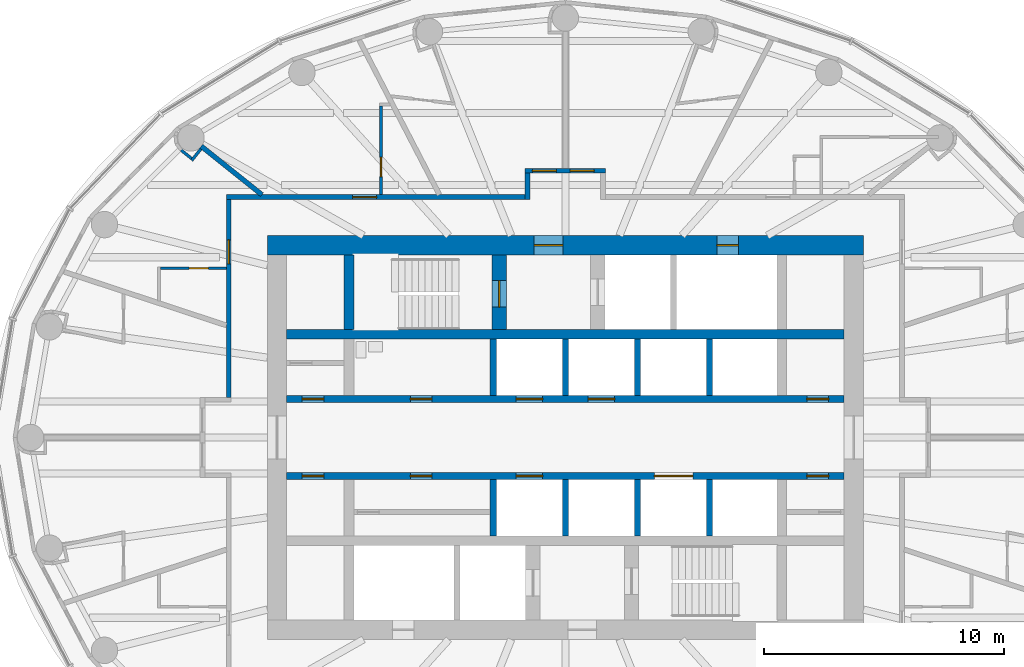
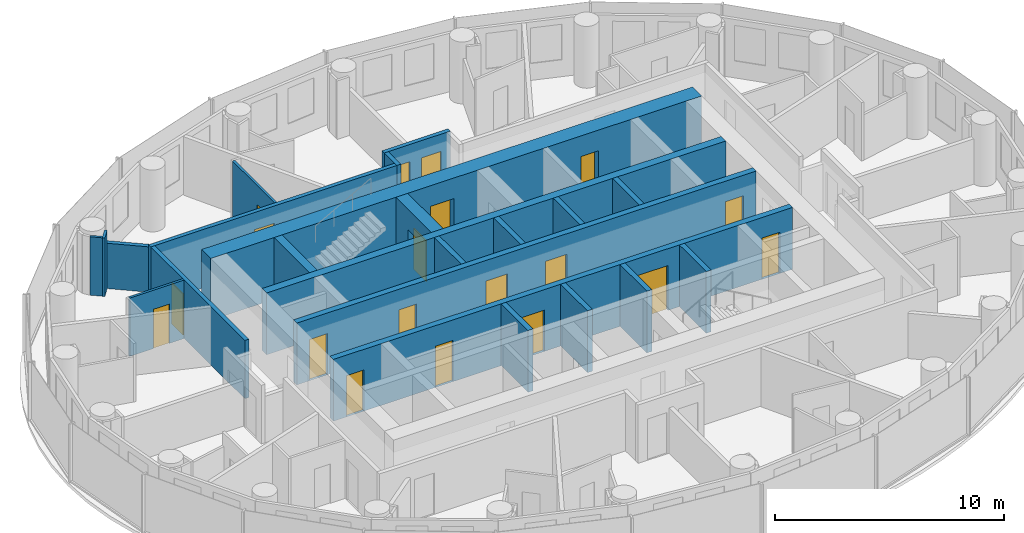
# One storey, part 9 of 16: 23 walls, 19 doors, 19 openings.
"""IFC4 building model written with IfcOpenShell, lengths in metres."""

from ifc_helpers import new_model, si_unit, direction, frame, frame_2d, origin, place, context, subcontext, project, spatial, rectangle, extrude, material, layer, layer_set, type_object, element, fill, save


model = new_model("IFC4")

# Units and contexts
model_context = context("Model", 3, precision=1e-05, world=origin(), true_north=direction((0.0, 1.0)))
body_context = subcontext(model_context, "Body", "Model", "MODEL_VIEW")
ifc_project = project(units=[si_unit("LENGTHUNIT", "METRE"), si_unit("AREAUNIT", "SQUARE_METRE"), si_unit("VOLUMEUNIT", "CUBIC_METRE"), si_unit("PLANEANGLEUNIT", "RADIAN"), si_unit("MASSUNIT", "GRAM", prefix="KILO")], contexts=[model_context])

# Site, building, storey
site_placement = place(None, origin())
site = spatial("IfcSite", under=ifc_project, at=site_placement, CompositionType="ELEMENT")
building_placement = place(site_placement, origin())
building = spatial("IfcBuilding", under=site, at=building_placement, Name="Hankou Lantern Tower", CompositionType="ELEMENT")
storey_placement = place(building_placement, frame((0.0, 0.0, 146.699951171875)))
storey = spatial("IfcBuildingStorey", under=building, at=storey_placement, Name="L38", CompositionType="ELEMENT", Elevation=146.699951171875)

# Wall, openings, doors
ifc_material_1 = material(Name="Concrete C60", Category="concrete")
ifc_layer_1 = layer(ifc_material_1, 0.800048828125)
ifc_layer_set_1 = layer_set([ifc_layer_1], Name="Concrete C60")
wall_type_1 = type_object("IfcWallType", Name="CW2 CORE WALL 800", PredefinedType="SHEAR", material=ifc_layer_set_1)
wall_1_placement = place(storey_placement, frame((-12.39990234375, 8.0, 0.0), z_axis=(0.0, 0.0, 1.0), x_axis=(1.0, 0.0, 0.0)))
wall_1 = element("IfcWall", 1, at=wall_1_placement, inside=storey, type_object=wall_type_1, Name="Core wall north L38", PredefinedType="SHEAR", context=body_context, shape_type="SweptSolid", body=[
    extrude(rectangle(XDim=24.7998046875, YDim=0.800048828125, at=frame_2d((12.39990234375, 0.0))), origin(), (0.0, 0.0, 1.0), 3.300048828125),
])
opening_1_placement = place(wall_1_placement, frame((11.10009765625, 0.0, 0.0)))
opening_1 = element("IfcOpeningElement", 2, at=opening_1_placement, cuts=wall_1, Name="Opening D5", PredefinedType="OPENING", context=body_context, shape_type="SweptSolid", body=[
    extrude(rectangle(XDim=1.199951171875, YDim=2.199951171875, at=frame_2d((0.60009765625, 1.10009765625))), frame((0.0, 0.409912109375, 0.0), z_axis=(0.0, -1.0, 0.0), x_axis=(1.0, 0.0, 0.0)), (0.0, 0.0, 1.0), 0.820068359375),
])
opening_2_placement = place(wall_1_placement, frame((18.699951171875, 0.0, 0.0)))
opening_2 = element("IfcOpeningElement", 3, at=opening_2_placement, cuts=wall_1, Name="Opening D7", PredefinedType="OPENING", context=body_context, shape_type="SweptSolid", body=[
    extrude(rectangle(XDim=0.89990234375, YDim=2.199951171875, at=frame_2d((0.449951171875, 1.10009765625))), frame((0.0, 0.409912109375, 0.0), z_axis=(0.0, -1.0, 0.0), x_axis=(1.0, 0.0, 0.0)), (0.0, 0.0, 1.0), 0.820068359375),
])
ifc_material_2 = material(Name="Steel door leaf", Category="steel")
door_type_1 = type_object("IfcDoorType", Name="D5 STAIR LOBBY DOOR 1200X2200", OperationType="SINGLE_SWING_LEFT", PredefinedType="DOOR", material=ifc_material_2)
door_1_placement = place(opening_1_placement, origin())
door_1 = element("IfcDoor", 4, at=door_1_placement, inside=storey, type_object=door_type_1, Name="Stair A lobby door", OperationType="SINGLE_SWING_LEFT", OverallHeight=2.199951171875, OverallWidth=1.199951171875, PredefinedType="DOOR", context=body_context, shape_type="SweptSolid", body=[
    extrude(rectangle(XDim=1.199951171875, YDim=2.199951171875, at=frame_2d((0.60009765625, 1.10009765625))), frame((0.0, 0.02490234375, 0.0), z_axis=(0.0, -1.0, 0.0), x_axis=(1.0, 0.0, 0.0)), (0.0, 0.0, 1.0), 0.050048828125),
])
fill(opening_1, door_1)
ifc_material_3 = material(Name="Steel door leaf", Category="steel")
door_type_2 = type_object("IfcDoorType", Name="D7 RISER DOOR 900X2200", OperationType="SINGLE_SWING_LEFT", PredefinedType="DOOR", material=ifc_material_3)
door_2_placement = place(opening_2_placement, origin())
door_2 = element("IfcDoor", 5, at=door_2_placement, inside=storey, type_object=door_type_2, Name="Riser N1 door", OperationType="SINGLE_SWING_RIGHT", OverallHeight=2.199951171875, OverallWidth=0.89990234375, PredefinedType="DOOR", context=body_context, shape_type="SweptSolid", body=[
    extrude(rectangle(XDim=0.89990234375, YDim=2.199951171875, at=frame_2d((0.449951171875, 1.10009765625))), frame((0.0, 0.02490234375, 0.0), z_axis=(0.0, -1.0, 0.0), x_axis=(1.0, 0.0, 0.0)), (0.0, 0.0, 1.0), 0.050048828125),
])
fill(opening_2, door_2)

# Walls
ifc_material_4 = material(Name="Concrete C60", Category="concrete")
ifc_layer_2 = layer(ifc_material_4, 0.39990234375)
ifc_layer_set_2 = layer_set([ifc_layer_2], Name="Concrete C60")
wall_type_2 = type_object("IfcWallType", Name="CW4 CORE CROSS WALL 400", PredefinedType="SHEAR", material=ifc_layer_set_2)
wall_2_placement = place(storey_placement, frame((-11.60009765625, 4.300048828125, 0.0), z_axis=(0.0, 0.0, 1.0), x_axis=(1.0, 0.0, 0.0)))
element("IfcWall", 6, at=wall_2_placement, inside=storey, type_object=wall_type_2, Name="Core band wall north L38", PredefinedType="SHEAR", context=body_context, shape_type="SweptSolid", body=[
    extrude(rectangle(XDim=23.2001953125, YDim=0.39990234375, at=frame_2d((11.60009765625, 0.0))), origin(), (0.0, 0.0, 1.0), 3.300048828125),
])
wall_3_placement = place(storey_placement, frame((-9.0, 4.5, 0.0), z_axis=(0.0, 0.0, 1.0), x_axis=(0.0, 1.0, 0.0)))
element("IfcWall", 7, at=wall_3_placement, inside=storey, type_object=wall_type_2, Name="Core strip wall L38", PredefinedType="SHEAR", context=body_context, shape_type="SweptSolid", body=[
    extrude(rectangle(XDim=3.10009765625, YDim=0.39990234375, at=frame_2d((1.550048828125, 0.0))), origin(), (0.0, 0.0, 1.0), 3.300048828125),
])

# Wall, openings, doors
ifc_material_5 = material(Name="Concrete C60", Category="concrete")
ifc_layer_3 = layer(ifc_material_5, 0.300048828125)
ifc_layer_set_3 = layer_set([ifc_layer_3], Name="Concrete C60")
wall_type_3 = type_object("IfcWallType", Name="CW5 LIFT LOBBY WALL 300", PredefinedType="SHEAR", material=ifc_layer_set_3)
wall_4_placement = place(storey_placement, frame((-11.60009765625, 1.60009765625, 0.0), z_axis=(0.0, 0.0, 1.0), x_axis=(1.0, 0.0, 0.0)))
wall_4 = element("IfcWall", 8, at=wall_4_placement, inside=storey, type_object=wall_type_3, Name="Lift lobby wall north L38", PredefinedType="SHEAR", context=body_context, shape_type="SweptSolid", body=[
    extrude(rectangle(XDim=23.2001953125, YDim=0.300048828125, at=frame_2d((11.60009765625, 0.0))), origin(), (0.0, 0.0, 1.0), 3.300048828125),
])
opening_3_placement = place(wall_4_placement, frame((9.550048828125, 0.0, 0.0)))
opening_3 = element("IfcOpeningElement", 9, at=opening_3_placement, cuts=wall_4, Name="Opening LD1", PredefinedType="OPENING", context=body_context, shape_type="SweptSolid", body=[
    extrude(rectangle(XDim=1.10009765625, YDim=2.199951171875, at=frame_2d((0.550048828125, 1.10009765625))), frame((0.0, 0.159912109375, 0.0), z_axis=(0.0, -1.0, 0.0), x_axis=(1.0, 0.0, 0.0)), (0.0, 0.0, 1.0), 0.320068359375),
])
opening_4_placement = place(wall_4_placement, frame((12.550048828125, 0.0, 0.0)))
opening_4 = element("IfcOpeningElement", 10, at=opening_4_placement, cuts=wall_4, Name="Opening LD1", PredefinedType="OPENING", context=body_context, shape_type="SweptSolid", body=[
    extrude(rectangle(XDim=1.10009765625, YDim=2.199951171875, at=frame_2d((0.550048828125, 1.10009765625))), frame((0.0, 0.159912109375, 0.0), z_axis=(0.0, -1.0, 0.0), x_axis=(1.0, 0.0, 0.0)), (0.0, 0.0, 1.0), 0.320068359375),
])
opening_5_placement = place(wall_4_placement, frame((5.14990234375, 0.0, 0.0)))
opening_5 = element("IfcOpeningElement", 11, at=opening_5_placement, cuts=wall_4, Name="Opening D30", PredefinedType="OPENING", context=body_context, shape_type="SweptSolid", body=[
    extrude(rectangle(XDim=0.89990234375, YDim=2.199951171875, at=frame_2d((0.449951171875, 1.10009765625))), frame((0.0, 0.159912109375, 0.0), z_axis=(0.0, -1.0, 0.0), x_axis=(1.0, 0.0, 0.0)), (0.0, 0.0, 1.0), 0.320068359375),
])
opening_6_placement = place(wall_4_placement, frame((21.64990234375, 0.0, 0.0)))
opening_6 = element("IfcOpeningElement", 12, at=opening_6_placement, cuts=wall_4, Name="Opening D30", PredefinedType="OPENING", context=body_context, shape_type="SweptSolid", body=[
    extrude(rectangle(XDim=0.89990234375, YDim=2.199951171875, at=frame_2d((0.449951171875, 1.10009765625))), frame((0.0, 0.159912109375, 0.0), z_axis=(0.0, -1.0, 0.0), x_axis=(1.0, 0.0, 0.0)), (0.0, 0.0, 1.0), 0.320068359375),
])
opening_7_placement = place(wall_4_placement, frame((0.64990234375, 0.0, 0.0)))
opening_7 = element("IfcOpeningElement", 13, at=opening_7_placement, cuts=wall_4, Name="Opening D30", PredefinedType="OPENING", context=body_context, shape_type="SweptSolid", body=[
    extrude(rectangle(XDim=0.89990234375, YDim=2.199951171875, at=frame_2d((0.449951171875, 1.10009765625))), frame((0.0, 0.159912109375, 0.0), z_axis=(0.0, -1.0, 0.0), x_axis=(1.0, 0.0, 0.0)), (0.0, 0.0, 1.0), 0.320068359375),
])
ifc_material_6 = material(Name="Steel door leaf", Category="steel")
door_type_3 = type_object("IfcDoorType", Name="D30 CORE ROOM DOOR 900X2200", OperationType="SINGLE_SWING_LEFT", PredefinedType="DOOR", material=ifc_material_6)
door_3_placement = place(opening_5_placement, origin())
door_3 = element("IfcDoor", 14, at=door_3_placement, inside=storey, type_object=door_type_3, Name="Accessible staff WC door", OperationType="SINGLE_SWING_LEFT", OverallHeight=2.199951171875, OverallWidth=0.89990234375, PredefinedType="DOOR", context=body_context, shape_type="SweptSolid", body=[
    extrude(rectangle(XDim=0.89990234375, YDim=2.199951171875, at=frame_2d((0.449951171875, 1.10009765625))), frame((0.0, 0.02490234375, 0.0), z_axis=(0.0, -1.0, 0.0), x_axis=(1.0, 0.0, 0.0)), (0.0, 0.0, 1.0), 0.050048828125),
])
fill(opening_5, door_3)
door_4_placement = place(opening_6_placement, origin())
door_4 = element("IfcDoor", 15, at=door_4_placement, inside=storey, type_object=door_type_3, Name="Staff locker room door", OperationType="SINGLE_SWING_RIGHT", OverallHeight=2.199951171875, OverallWidth=0.89990234375, PredefinedType="DOOR", context=body_context, shape_type="SweptSolid", body=[
    extrude(rectangle(XDim=0.89990234375, YDim=2.199951171875, at=frame_2d((0.449951171875, 1.10009765625))), frame((0.0, 0.02490234375, 0.0), z_axis=(0.0, -1.0, 0.0), x_axis=(1.0, 0.0, 0.0)), (0.0, 0.0, 1.0), 0.050048828125),
])
fill(opening_6, door_4)
door_5_placement = place(opening_7_placement, origin())
door_5 = element("IfcDoor", 16, at=door_5_placement, inside=storey, type_object=door_type_3, Name="Guest pantry and ice room door", OperationType="SINGLE_SWING_LEFT", OverallHeight=2.199951171875, OverallWidth=0.89990234375, PredefinedType="DOOR", context=body_context, shape_type="SweptSolid", body=[
    extrude(rectangle(XDim=0.89990234375, YDim=2.199951171875, at=frame_2d((0.449951171875, 1.10009765625))), frame((0.0, 0.02490234375, 0.0), z_axis=(0.0, -1.0, 0.0), x_axis=(1.0, 0.0, 0.0)), (0.0, 0.0, 1.0), 0.050048828125),
])
fill(opening_7, door_5)
ifc_material_7 = material(Name="Steel door leaf", Category="steel")
door_type_4 = type_object("IfcDoorType", Name="LD1 LIFT LANDING DOOR 1100X2200", OperationType="DOUBLE_DOOR_SLIDING", PredefinedType="DOOR", material=ifc_material_7)
door_6_placement = place(opening_3_placement, origin())
door_6 = element("IfcDoor", 17, at=door_6_placement, inside=storey, type_object=door_type_4, Name="Lift H1 landing door", OperationType="DOUBLE_DOOR_SLIDING", OverallHeight=2.199951171875, OverallWidth=1.10009765625, PredefinedType="DOOR", context=body_context, shape_type="SweptSolid", body=[
    extrude(rectangle(XDim=1.10009765625, YDim=2.199951171875, at=frame_2d((0.550048828125, 1.10009765625))), frame((0.0, 0.02490234375, 0.0), z_axis=(0.0, -1.0, 0.0), x_axis=(1.0, 0.0, 0.0)), (0.0, 0.0, 1.0), 0.050048828125),
])
fill(opening_3, door_6)
door_7_placement = place(opening_4_placement, origin())
door_7 = element("IfcDoor", 18, at=door_7_placement, inside=storey, type_object=door_type_4, Name="Lift H2 landing door", OperationType="DOUBLE_DOOR_SLIDING", OverallHeight=2.199951171875, OverallWidth=1.10009765625, PredefinedType="DOOR", context=body_context, shape_type="SweptSolid", body=[
    extrude(rectangle(XDim=1.10009765625, YDim=2.199951171875, at=frame_2d((0.550048828125, 1.10009765625))), frame((0.0, 0.02490234375, 0.0), z_axis=(0.0, -1.0, 0.0), x_axis=(1.0, 0.0, 0.0)), (0.0, 0.0, 1.0), 0.050048828125),
])
fill(opening_4, door_7)

wall_5_placement = place(storey_placement, frame((-11.60009765625, -1.60009765625, 0.0), z_axis=(0.0, 0.0, 1.0), x_axis=(1.0, 0.0, 0.0)))
wall_5 = element("IfcWall", 19, at=wall_5_placement, inside=storey, type_object=wall_type_3, Name="Lift lobby wall south L38", PredefinedType="SHEAR", context=body_context, shape_type="SweptSolid", body=[
    extrude(rectangle(XDim=23.2001953125, YDim=0.300048828125, at=frame_2d((11.60009765625, 0.0))), origin(), (0.0, 0.0, 1.0), 3.300048828125),
])
opening_8_placement = place(wall_5_placement, frame((9.550048828125, 0.0, 0.0)))
opening_8 = element("IfcOpeningElement", 20, at=opening_8_placement, cuts=wall_5, Name="Opening LD1", PredefinedType="OPENING", context=body_context, shape_type="SweptSolid", body=[
    extrude(rectangle(XDim=1.10009765625, YDim=2.199951171875, at=frame_2d((0.550048828125, 1.10009765625))), frame((0.0, 0.159912109375, 0.0), z_axis=(0.0, -1.0, 0.0), x_axis=(1.0, 0.0, 0.0)), (0.0, 0.0, 1.0), 0.320068359375),
])
opening_9_placement = place(wall_5_placement, frame((15.300048828125, 0.0, 0.0)))
opening_9 = element("IfcOpeningElement", 21, at=opening_9_placement, cuts=wall_5, Name="Opening LD4", PredefinedType="OPENING", context=body_context, shape_type="SweptSolid", body=[
    extrude(rectangle(XDim=1.60009765625, YDim=2.39990234375, at=frame_2d((0.800048828125, 1.199951171875))), frame((0.0, 0.159912109375, 0.0), z_axis=(0.0, -1.0, 0.0), x_axis=(1.0, 0.0, 0.0)), (0.0, 0.0, 1.0), 0.320068359375),
])
opening_10_placement = place(wall_5_placement, frame((0.64990234375, 0.0, 0.0)))
opening_10 = element("IfcOpeningElement", 22, at=opening_10_placement, cuts=wall_5, Name="Opening D30", PredefinedType="OPENING", context=body_context, shape_type="SweptSolid", body=[
    extrude(rectangle(XDim=0.89990234375, YDim=2.199951171875, at=frame_2d((0.449951171875, 1.10009765625))), frame((0.0, 0.159912109375, 0.0), z_axis=(0.0, -1.0, 0.0), x_axis=(1.0, 0.0, 0.0)), (0.0, 0.0, 1.0), 0.320068359375),
])
opening_11_placement = place(wall_5_placement, frame((5.14990234375, 0.0, 0.0)))
opening_11 = element("IfcOpeningElement", 23, at=opening_11_placement, cuts=wall_5, Name="Opening D30", PredefinedType="OPENING", context=body_context, shape_type="SweptSolid", body=[
    extrude(rectangle(XDim=0.89990234375, YDim=2.199951171875, at=frame_2d((0.449951171875, 1.10009765625))), frame((0.0, 0.159912109375, 0.0), z_axis=(0.0, -1.0, 0.0), x_axis=(1.0, 0.0, 0.0)), (0.0, 0.0, 1.0), 0.320068359375),
])
opening_12_placement = place(wall_5_placement, frame((21.64990234375, 0.0, 0.0)))
opening_12 = element("IfcOpeningElement", 24, at=opening_12_placement, cuts=wall_5, Name="Opening D30", PredefinedType="OPENING", context=body_context, shape_type="SweptSolid", body=[
    extrude(rectangle(XDim=0.89990234375, YDim=2.199951171875, at=frame_2d((0.449951171875, 1.10009765625))), frame((0.0, 0.159912109375, 0.0), z_axis=(0.0, -1.0, 0.0), x_axis=(1.0, 0.0, 0.0)), (0.0, 0.0, 1.0), 0.320068359375),
])
door_8_placement = place(opening_10_placement, origin())
door_8 = element("IfcDoor", 25, at=door_8_placement, inside=storey, type_object=door_type_3, Name="Housekeeping and linen store door", OperationType="SINGLE_SWING_LEFT", OverallHeight=2.199951171875, OverallWidth=0.89990234375, PredefinedType="DOOR", context=body_context, shape_type="SweptSolid", body=[
    extrude(rectangle(XDim=0.89990234375, YDim=2.199951171875, at=frame_2d((0.449951171875, 1.10009765625))), frame((0.0, 0.02490234375, 0.0), z_axis=(0.0, -1.0, 0.0), x_axis=(1.0, 0.0, 0.0)), (0.0, 0.0, 1.0), 0.050048828125),
])
fill(opening_10, door_8)
door_9_placement = place(opening_11_placement, origin())
door_9 = element("IfcDoor", 26, at=door_9_placement, inside=storey, type_object=door_type_3, Name="Engineering store door", OperationType="SINGLE_SWING_LEFT", OverallHeight=2.199951171875, OverallWidth=0.89990234375, PredefinedType="DOOR", context=body_context, shape_type="SweptSolid", body=[
    extrude(rectangle(XDim=0.89990234375, YDim=2.199951171875, at=frame_2d((0.449951171875, 1.10009765625))), frame((0.0, 0.02490234375, 0.0), z_axis=(0.0, -1.0, 0.0), x_axis=(1.0, 0.0, 0.0)), (0.0, 0.0, 1.0), 0.050048828125),
])
fill(opening_11, door_9)
door_10_placement = place(opening_12_placement, origin())
door_10 = element("IfcDoor", 27, at=door_10_placement, inside=storey, type_object=door_type_3, Name="Cleaner's store door", OperationType="SINGLE_SWING_RIGHT", OverallHeight=2.199951171875, OverallWidth=0.89990234375, PredefinedType="DOOR", context=body_context, shape_type="SweptSolid", body=[
    extrude(rectangle(XDim=0.89990234375, YDim=2.199951171875, at=frame_2d((0.449951171875, 1.10009765625))), frame((0.0, 0.02490234375, 0.0), z_axis=(0.0, -1.0, 0.0), x_axis=(1.0, 0.0, 0.0)), (0.0, 0.0, 1.0), 0.050048828125),
])
fill(opening_12, door_10)
door_11_placement = place(opening_8_placement, origin())
door_11 = element("IfcDoor", 28, at=door_11_placement, inside=storey, type_object=door_type_4, Name="Lift H3 landing door", OperationType="DOUBLE_DOOR_SLIDING", OverallHeight=2.199951171875, OverallWidth=1.10009765625, PredefinedType="DOOR", context=body_context, shape_type="SweptSolid", body=[
    extrude(rectangle(XDim=1.10009765625, YDim=2.199951171875, at=frame_2d((0.550048828125, 1.10009765625))), frame((0.0, 0.02490234375, 0.0), z_axis=(0.0, -1.0, 0.0), x_axis=(1.0, 0.0, 0.0)), (0.0, 0.0, 1.0), 0.050048828125),
])
fill(opening_8, door_11)
ifc_material_8 = material(Name="Steel door leaf", Category="steel")
door_type_5 = type_object("IfcDoorType", Name="LD4 SERVICE LIFT LANDING DOOR 1600X2400", OperationType="DOUBLE_DOOR_SLIDING", PredefinedType="DOOR", material=ifc_material_8)
door_12_placement = place(opening_9_placement, origin())
door_12 = element("IfcDoor", 29, at=door_12_placement, inside=storey, type_object=door_type_5, Name="Lift SV1 landing door", OperationType="DOUBLE_DOOR_SLIDING", OverallHeight=2.39990234375, OverallWidth=1.60009765625, PredefinedType="DOOR", context=body_context, shape_type="SweptSolid", body=[
    extrude(rectangle(XDim=1.60009765625, YDim=2.39990234375, at=frame_2d((0.800048828125, 1.199951171875))), frame((0.0, 0.02490234375, 0.0), z_axis=(0.0, -1.0, 0.0), x_axis=(1.0, 0.0, 0.0)), (0.0, 0.0, 1.0), 0.050048828125),
])
fill(opening_9, door_12)

# Wall, opening, door
ifc_material_9 = material(Name="Concrete C60", Category="concrete")
ifc_layer_4 = layer(ifc_material_9, 0.60009765625)
ifc_layer_set_4 = layer_set([ifc_layer_4], Name="Concrete C60")
wall_type_4 = type_object("IfcWallType", Name="CW6 STAIR AND SHAFT WALL 600", PredefinedType="SHEAR", material=ifc_layer_set_4)
wall_6_placement = place(storey_placement, frame((-2.75, 4.5, 0.0), z_axis=(0.0, 0.0, 1.0), x_axis=(0.0, 1.0, 0.0)))
wall_6 = element("IfcWall", 30, at=wall_6_placement, inside=storey, type_object=wall_type_4, Name="Stair wall L38", PredefinedType="SHEAR", context=body_context, shape_type="SweptSolid", body=[
    extrude(rectangle(XDim=3.10009765625, YDim=0.60009765625, at=frame_2d((1.550048828125, 0.0))), origin(), (0.0, 0.0, 1.0), 3.300048828125),
])
opening_13_placement = place(wall_6_placement, frame((0.925048828125, 0.0, 0.0)))
opening_13 = element("IfcOpeningElement", 31, at=opening_13_placement, cuts=wall_6, Name="Opening D4", PredefinedType="OPENING", context=body_context, shape_type="SweptSolid", body=[
    extrude(rectangle(XDim=1.10009765625, YDim=2.199951171875, at=frame_2d((0.550048828125, 1.10009765625))), frame((0.0, 0.31005859375, 0.0), z_axis=(0.0, -1.0, 0.0), x_axis=(1.0, 0.0, 0.0)), (0.0, 0.0, 1.0), 0.6201171875),
])
ifc_material_10 = material(Name="Steel door leaf", Category="steel")
door_type_6 = type_object("IfcDoorType", Name="D4 STAIR DOOR 1100X2200", OperationType="SINGLE_SWING_LEFT", PredefinedType="DOOR", material=ifc_material_10)
door_13_placement = place(opening_13_placement, origin())
door_13 = element("IfcDoor", 32, at=door_13_placement, inside=storey, type_object=door_type_6, Name="Stair A door", OperationType="SINGLE_SWING_LEFT", OverallHeight=2.199951171875, OverallWidth=1.10009765625, PredefinedType="DOOR", context=body_context, shape_type="SweptSolid", body=[
    extrude(rectangle(XDim=1.10009765625, YDim=2.199951171875, at=frame_2d((0.550048828125, 1.10009765625))), frame((0.0, 0.02490234375, 0.0), z_axis=(0.0, -1.0, 0.0), x_axis=(1.0, 0.0, 0.0)), (0.0, 0.0, 1.0), 0.050048828125),
])
fill(opening_13, door_13)

# Wall
ifc_material_11 = material(Name="Masonry lightweight concrete block", Category="masonry")
ifc_layer_5 = layer(ifc_material_11, 0.199951171875)
ifc_layer_set_5 = layer_set([ifc_layer_5], Name="Masonry lightweight concrete block")
wall_type_5 = type_object("IfcWallType", Name="IW1 GUEST ROOM PARTY WALL 200", PredefinedType="PARTITIONING", material=ifc_layer_set_5)
wall_7_placement = place(storey_placement, frame((-12.625, 10.10009765625, 0.0), z_axis=(0.0, 0.0, 1.0), x_axis=(-0.780876185034, 0.624685827954, 0.0)))
element("IfcWall", 33, at=wall_7_placement, inside=storey, type_object=wall_type_5, Name="Party wall R10", PredefinedType="PARTITIONING", context=body_context, shape_type="SweptSolid", body=[
    extrude(rectangle(XDim=3.229248046875, YDim=0.199951171875, at=frame_2d((1.61474609375, 0.0))), origin(), (0.0, 0.0, 1.0), 2.420166015625),
])

# Wall, openings, doors
ifc_material_12 = material(Name="Masonry lightweight concrete block", Category="masonry")
ifc_layer_6 = layer(ifc_material_12, 0.199951171875)
ifc_layer_set_6 = layer_set([ifc_layer_6], Name="Masonry lightweight concrete block")
wall_type_6 = type_object("IfcWallType", Name="IW2 CORRIDOR WALL 200", PredefinedType="PARTITIONING", material=ifc_layer_set_6)
wall_8_placement = place(storey_placement, frame((-1.669921875, 11.10009765625, 0.0), z_axis=(0.0, 0.0, 1.0), x_axis=(1.0, 0.0, 0.0)))
wall_8 = element("IfcWall", 34, at=wall_8_placement, inside=storey, type_object=wall_type_6, Name="Corridor alcove wall 3803-3804 back", PredefinedType="PARTITIONING", context=body_context, shape_type="SweptSolid", body=[
    extrude(rectangle(XDim=3.33984375, YDim=0.199951171875, at=frame_2d((1.669921875, 0.0))), origin(), (0.0, 0.0, 1.0), 3.1201171875),
])
opening_14_placement = place(wall_8_placement, frame((1.8701171875, 0.0, 0.0)))
opening_14 = element("IfcOpeningElement", 35, at=opening_14_placement, cuts=wall_8, Name="Opening D1", PredefinedType="OPENING", context=body_context, shape_type="SweptSolid", body=[
    extrude(rectangle(XDim=1.0, YDim=2.199951171875, at=frame_2d((0.5, 1.10009765625))), frame((0.0, 0.10986328125, 0.0), z_axis=(0.0, -1.0, 0.0), x_axis=(1.0, 0.0, 0.0)), (0.0, 0.0, 1.0), 0.219970703125),
])
opening_15_placement = place(wall_8_placement, frame((0.300048828125, 0.0, 0.0)))
opening_15 = element("IfcOpeningElement", 36, at=opening_15_placement, cuts=wall_8, Name="Opening D1", PredefinedType="OPENING", context=body_context, shape_type="SweptSolid", body=[
    extrude(rectangle(XDim=1.0, YDim=2.199951171875, at=frame_2d((0.5, 1.10009765625))), frame((0.0, 0.10986328125, 0.0), z_axis=(0.0, -1.0, 0.0), x_axis=(1.0, 0.0, 0.0)), (0.0, 0.0, 1.0), 0.219970703125),
])
ifc_material_13 = material(Name="Steel door leaf", Category="steel")
door_type_7 = type_object("IfcDoorType", Name="D1 GUEST ROOM DOOR 1000X2200", OperationType="SINGLE_SWING_LEFT", PredefinedType="DOOR", material=ifc_material_13)
door_14_placement = place(opening_14_placement, origin())
door_14 = element("IfcDoor", 37, at=door_14_placement, inside=storey, type_object=door_type_7, Name="Guest room door 3803", OperationType="SINGLE_SWING_LEFT", OverallHeight=2.199951171875, OverallWidth=1.0, PredefinedType="DOOR", context=body_context, shape_type="SweptSolid", body=[
    extrude(rectangle(XDim=1.0, YDim=2.199951171875, at=frame_2d((0.5, 1.10009765625))), frame((0.0, 0.02490234375, 0.0), z_axis=(0.0, -1.0, 0.0), x_axis=(1.0, 0.0, 0.0)), (0.0, 0.0, 1.0), 0.050048828125),
])
fill(opening_14, door_14)
door_15_placement = place(opening_15_placement, origin())
door_15 = element("IfcDoor", 38, at=door_15_placement, inside=storey, type_object=door_type_7, Name="Guest room door 3804", OperationType="SINGLE_SWING_RIGHT", OverallHeight=2.199951171875, OverallWidth=1.0, PredefinedType="DOOR", context=body_context, shape_type="SweptSolid", body=[
    extrude(rectangle(XDim=1.0, YDim=2.199951171875, at=frame_2d((0.5, 1.10009765625))), frame((0.0, 0.02490234375, 0.0), z_axis=(0.0, -1.0, 0.0), x_axis=(1.0, 0.0, 0.0)), (0.0, 0.0, 1.0), 0.050048828125),
])
fill(opening_15, door_15)

# Wall
wall_9_placement = place(storey_placement, frame((-1.570068359375, 9.89990234375, 0.0), z_axis=(0.0, 0.0, 1.0), x_axis=(0.0, 1.0, 0.0)))
element("IfcWall", 39, at=wall_9_placement, inside=storey, type_object=wall_type_6, Name="Corridor alcove wall 3803-3804 left", PredefinedType="PARTITIONING", context=body_context, shape_type="SweptSolid", body=[
    extrude(rectangle(XDim=1.10009765625, YDim=0.199951171875, at=frame_2d((0.550048828125, 0.0))), origin(), (0.0, 0.0, 1.0), 3.1201171875),
])

# Wall, opening, door
wall_10_placement = place(storey_placement, frame((-14.10009765625, 10.0, 0.0), z_axis=(0.0, 0.0, 1.0), x_axis=(1.0, 0.0, 0.0)))
wall_10 = element("IfcWall", 40, at=wall_10_placement, inside=storey, type_object=wall_type_6, Name="Corridor wall north", PredefinedType="PARTITIONING", context=body_context, shape_type="SweptSolid", body=[
    extrude(rectangle(XDim=12.43017578125, YDim=0.199951171875, at=frame_2d((6.215087890625, 0.0))), origin(), (0.0, 0.0, 1.0), 3.1201171875),
])
opening_16_placement = place(wall_10_placement, frame((5.25, 0.0, 0.0)))
opening_16 = element("IfcOpeningElement", 41, at=opening_16_placement, cuts=wall_10, Name="Opening D1", PredefinedType="OPENING", context=body_context, shape_type="SweptSolid", body=[
    extrude(rectangle(XDim=1.0, YDim=2.199951171875, at=frame_2d((0.5, 1.10009765625))), frame((0.0, 0.10986328125, 0.0), z_axis=(0.0, -1.0, 0.0), x_axis=(1.0, 0.0, 0.0)), (0.0, 0.0, 1.0), 0.219970703125),
])
door_16_placement = place(opening_16_placement, origin())
door_16 = element("IfcDoor", 42, at=door_16_placement, inside=storey, type_object=door_type_7, Name="Guest room door 3805", OperationType="SINGLE_SWING_RIGHT", OverallHeight=2.199951171875, OverallWidth=1.0, PredefinedType="DOOR", context=body_context, shape_type="SweptSolid", body=[
    extrude(rectangle(XDim=1.0, YDim=2.199951171875, at=frame_2d((0.5, 1.10009765625))), frame((0.0, 0.02490234375, 0.0), z_axis=(0.0, -1.0, 0.0), x_axis=(1.0, 0.0, 0.0)), (0.0, 0.0, 1.0), 0.050048828125),
])
fill(opening_16, door_16)

wall_11_placement = place(storey_placement, frame((-14.0, 9.89990234375, 0.0), z_axis=(0.0, 0.0, 1.0), x_axis=(0.0, -1.0, 0.0)))
wall_11 = element("IfcWall", 43, at=wall_11_placement, inside=storey, type_object=wall_type_6, Name="Corridor wall west", PredefinedType="PARTITIONING", context=body_context, shape_type="SweptSolid", body=[
    extrude(rectangle(XDim=8.22998046875, YDim=0.199951171875, at=frame_2d((4.114990234375, 0.0))), origin(), (0.0, 0.0, 1.0), 3.1201171875),
])
opening_17_placement = place(wall_11_placement, frame((1.678466796875, 0.0, 0.0)))
opening_17 = element("IfcOpeningElement", 44, at=opening_17_placement, cuts=wall_11, Name="Opening D1", PredefinedType="OPENING", context=body_context, shape_type="SweptSolid", body=[
    extrude(rectangle(XDim=1.0, YDim=2.199951171875, at=frame_2d((0.5, 1.10009765625))), frame((0.0, 0.10986328125, 0.0), z_axis=(0.0, -1.0, 0.0), x_axis=(1.0, 0.0, 0.0)), (0.0, 0.0, 1.0), 0.219970703125),
])
door_17_placement = place(opening_17_placement, origin())
door_17 = element("IfcDoor", 45, at=door_17_placement, inside=storey, type_object=door_type_7, Name="Guest room door 3806", OperationType="SINGLE_SWING_LEFT", OverallHeight=2.199951171875, OverallWidth=1.0, PredefinedType="DOOR", context=body_context, shape_type="SweptSolid", body=[
    extrude(rectangle(XDim=1.0, YDim=2.199951171875, at=frame_2d((0.5, 1.10009765625))), frame((0.0, 0.02490234375, 0.0), z_axis=(0.0, -1.0, 0.0), x_axis=(1.0, 0.0, 0.0)), (0.0, 0.0, 1.0), 0.050048828125),
])
fill(opening_17, door_17)

ifc_material_14 = material(Name="Masonry lightweight concrete block", Category="masonry")
ifc_layer_7 = layer(ifc_material_14, 0.1201171875)
ifc_layer_set_7 = layer_set([ifc_layer_7], Name="Masonry lightweight concrete block")
wall_type_7 = type_object("IfcWallType", Name="IW3 BATHROOM WALL 120", PredefinedType="PARTITIONING", material=ifc_layer_set_7)
wall_12_placement = place(storey_placement, frame((-7.670166015625, 10.10009765625, 0.0), z_axis=(0.0, 0.0, 1.0), x_axis=(0.0, 1.0, 0.0)))
wall_12 = element("IfcWall", 46, at=wall_12_placement, inside=storey, type_object=wall_type_7, Name="Box wall 3805 1", PredefinedType="PARTITIONING", context=body_context, shape_type="SweptSolid", body=[
    extrude(rectangle(XDim=3.68994140625, YDim=0.1201171875, at=frame_2d((1.844970703125, 0.0))), origin(), (0.0, 0.0, 1.0), 3.1201171875),
])
opening_18_placement = place(wall_12_placement, frame((0.75, 0.0, 0.0)))
opening_18 = element("IfcOpeningElement", 47, at=opening_18_placement, cuts=wall_12, Name="Opening D3", PredefinedType="OPENING", context=body_context, shape_type="SweptSolid", body=[
    extrude(rectangle(XDim=0.800048828125, YDim=2.10009765625, at=frame_2d((0.39990234375, 1.050048828125))), frame((0.0, 0.070068359375, 0.0), z_axis=(0.0, -1.0, 0.0), x_axis=(1.0, 0.0, 0.0)), (0.0, 0.0, 1.0), 0.14013671875),
])
ifc_material_15 = material(Name="Timber door leaf", Category="wood")
door_type_8 = type_object("IfcDoorType", Name="D3 BATHROOM DOOR 800X2100", OperationType="SINGLE_SWING_LEFT", PredefinedType="DOOR", material=ifc_material_15)
door_18_placement = place(opening_18_placement, origin())
door_18 = element("IfcDoor", 48, at=door_18_placement, inside=storey, type_object=door_type_8, Name="En-suite bathroom 3805 door", OperationType="SINGLE_SWING_LEFT", OverallHeight=2.10009765625, OverallWidth=0.800048828125, PredefinedType="DOOR", context=body_context, shape_type="SweptSolid", body=[
    extrude(rectangle(XDim=0.800048828125, YDim=2.10009765625, at=frame_2d((0.39990234375, 1.050048828125))), frame((0.0, 0.02490234375, 0.0), z_axis=(0.0, -1.0, 0.0), x_axis=(1.0, 0.0, 0.0)), (0.0, 0.0, 1.0), 0.050048828125),
])
fill(opening_18, door_18)

wall_13_placement = place(storey_placement, frame((-14.10009765625, 7.04150390625, 0.0), z_axis=(0.0, 0.0, 1.0), x_axis=(-1.0, 0.0, 0.0)))
wall_13 = element("IfcWall", 49, at=wall_13_placement, inside=storey, type_object=wall_type_7, Name="Box wall 3806 1", PredefinedType="PARTITIONING", context=body_context, shape_type="SweptSolid", body=[
    extrude(rectangle(XDim=2.739990234375, YDim=0.1201171875, at=frame_2d((1.3701171875, 0.0))), origin(), (0.0, 0.0, 1.0), 3.1201171875),
])
opening_19_placement = place(wall_13_placement, frame((0.75, 0.0, 0.0)))
opening_19 = element("IfcOpeningElement", 50, at=opening_19_placement, cuts=wall_13, Name="Opening D3", PredefinedType="OPENING", context=body_context, shape_type="SweptSolid", body=[
    extrude(rectangle(XDim=0.800048828125, YDim=2.10009765625, at=frame_2d((0.39990234375, 1.050048828125))), frame((0.0, 0.070068359375, 0.0), z_axis=(0.0, -1.0, 0.0), x_axis=(1.0, 0.0, 0.0)), (0.0, 0.0, 1.0), 0.14013671875),
])
door_19_placement = place(opening_19_placement, origin())
door_19 = element("IfcDoor", 51, at=door_19_placement, inside=storey, type_object=door_type_8, Name="En-suite bathroom 3806 door", OperationType="SINGLE_SWING_LEFT", OverallHeight=2.10009765625, OverallWidth=0.800048828125, PredefinedType="DOOR", context=body_context, shape_type="SweptSolid", body=[
    extrude(rectangle(XDim=0.800048828125, YDim=2.10009765625, at=frame_2d((0.39990234375, 1.050048828125))), frame((0.0, 0.02490234375, 0.0), z_axis=(0.0, -1.0, 0.0), x_axis=(1.0, 0.0, 0.0)), (0.0, 0.0, 1.0), 0.050048828125),
])
fill(opening_19, door_19)

# Walls
ifc_material_16 = material(Name="Masonry lightweight concrete block", Category="masonry")
ifc_layer_8 = layer(ifc_material_16, 0.1201171875)
ifc_layer_set_8 = layer_set([ifc_layer_8], Name="Masonry lightweight concrete block")
wall_type_8 = type_object("IfcWallType", Name="IW4 PARTITION 120", PredefinedType="PARTITIONING", material=ifc_layer_set_8)
wall_14_placement = place(storey_placement, frame((-15.162353515625, 12.001708984375, 0.0), z_axis=(0.0, 0.0, 1.0), x_axis=(-0.624597762427, -0.780946627607, 0.0)))
element("IfcWall", 52, at=wall_14_placement, inside=storey, type_object=wall_type_8, Name="Column casing R10 return", PredefinedType="PARTITIONING", context=body_context, shape_type="SweptSolid", body=[
    extrude(rectangle(XDim=0.612060546875, YDim=0.1201171875, at=frame_2d((0.30615234375, 0.0))), origin(), (0.0, 0.0, 1.0), 3.1201171875),
])
wall_15_placement = place(storey_placement, frame((-15.55419921875, 11.60791015625, 0.0), z_axis=(0.0, 0.0, 1.0), x_axis=(-0.780695577787, 0.624911525597, 0.0)))
element("IfcWall", 53, at=wall_15_placement, inside=storey, type_object=wall_type_8, Name="Column casing R10", PredefinedType="PARTITIONING", context=body_context, shape_type="SweptSolid", body=[
    extrude(rectangle(XDim=0.550048828125, YDim=0.1201171875, at=frame_2d((0.27490234375, 0.0))), origin(), (0.0, 0.0, 1.0), 3.1201171875),
])
ifc_material_17 = material(Name="Masonry autoclaved aerated concrete block", Category="masonry")
ifc_layer_9 = layer(ifc_material_17, 0.25)
ifc_layer_set_9 = layer_set([ifc_layer_9], Name="Masonry autoclaved aerated concrete block")
wall_type_9 = type_object("IfcWallType", Name="SW1 SHAFT BLOCK WALL 250", PredefinedType="PARTITIONING", material=ifc_layer_set_9)
for number, where, z_axis, x_axis, name in (
    (54, (-3.0, 1.75, 0.0), (0.0, 0.0, 1.0), (0.0, 1.0, 0.0), "Lift shaft wall L38"),
    (55, (0.0, 1.75, 0.0), (0.0, 0.0, 1.0), (0.0, 1.0, 0.0), "Lift shaft wall L38"),
    (56, (3.0, 1.75, 0.0), (0.0, 0.0, 1.0), (0.0, 1.0, 0.0), "Lift shaft wall L38"),
    (57, (6.0, 1.75, 0.0), (0.0, 0.0, 1.0), (0.0, 1.0, 0.0), "Lift shaft wall L38"),
    (58, (-3.0, -4.10009765625, 0.0), (0.0, 0.0, 1.0), (0.0, 1.0, 0.0), "Lift shaft wall L38"),
    (59, (0.0, -4.10009765625, 0.0), (0.0, 0.0, 1.0), (0.0, 1.0, 0.0), "Lift shaft wall L38"),
    (60, (3.0, -4.10009765625, 0.0), (0.0, 0.0, 1.0), (0.0, 1.0, 0.0), "Lift shaft wall L38"),
    (61, (6.0, -4.10009765625, 0.0), (0.0, 0.0, 1.0), (0.0, 1.0, 0.0), "Lift shaft wall L38"),
):
    element("IfcWall", number, at=place(storey_placement, frame(where, z_axis=z_axis, x_axis=x_axis)), inside=storey, type_object=wall_type_9, Name=name, PredefinedType="PARTITIONING", context=body_context, shape_type="SweptSolid", body=[
        extrude(rectangle(XDim=2.35009765625, YDim=0.25, at=frame_2d((1.175048828125, 0.0))), origin(), (0.0, 0.0, 1.0), 3.300048828125),
    ])

save(model, "model.ifc")
